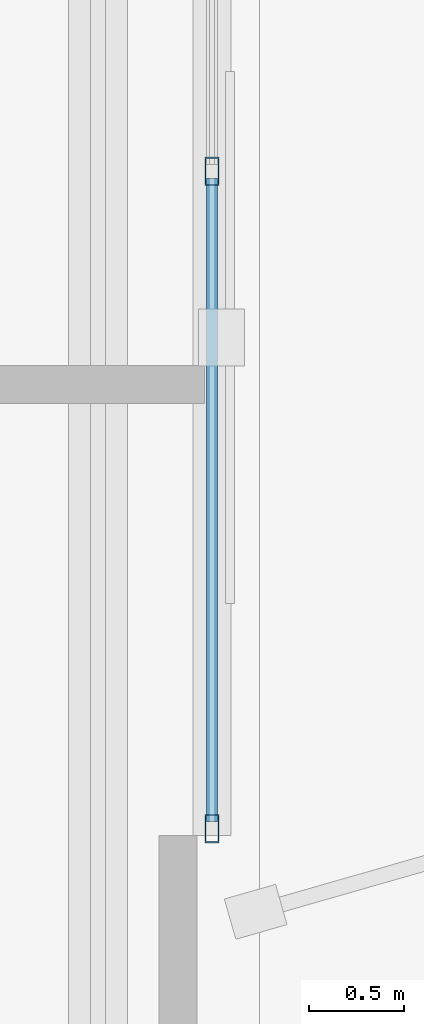
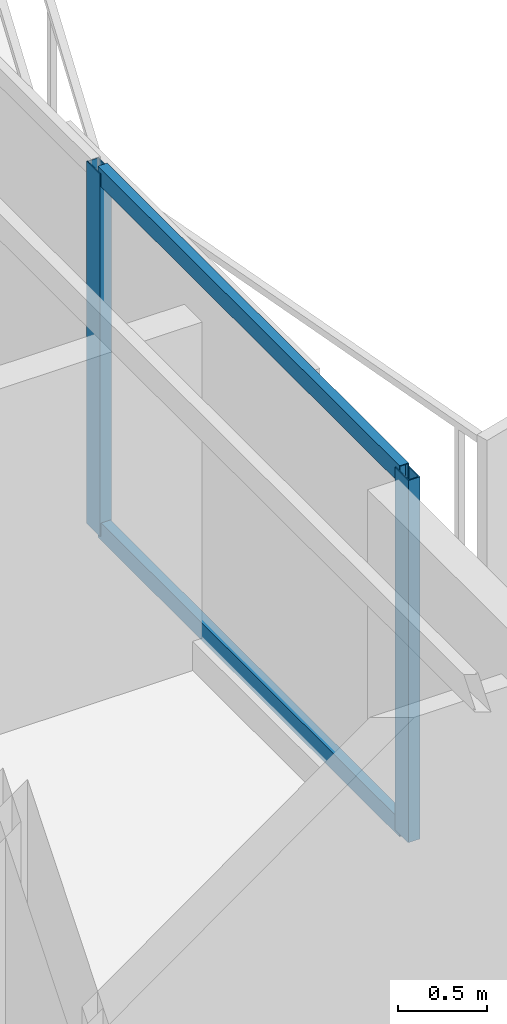
# One storey, part 7 of 19: 4 members, 1 element without a shape of its own.
"""IFC4 building model written with IfcOpenShell, lengths in metres."""

from ifc_helpers import new_model, si_unit, direction, frame, origin, origin_2d, place, context, subcontext, project, spatial, hollow_rectangle, extrude, material, layer, layer_set, material_profile, profile_set, type_object, element, aggregate, save


model = new_model("IFC4")

# Units and contexts
model_context = context("Model", 3, precision=1e-05, world=origin(), true_north=direction((0.0, 1.0)))
body_context = subcontext(model_context, "Body", "Model", "MODEL_VIEW")
ifc_project = project(units=[si_unit("LENGTHUNIT", "METRE"), si_unit("AREAUNIT", "SQUARE_METRE"), si_unit("VOLUMEUNIT", "CUBIC_METRE"), si_unit("PLANEANGLEUNIT", "RADIAN"), si_unit("MASSUNIT", "GRAM", prefix="KILO")], contexts=[model_context])

# Site, building, storey
site_placement = place(None, origin())
site = spatial("IfcSite", under=ifc_project, at=site_placement, CompositionType="ELEMENT")
building_placement = place(site_placement, origin())
building = spatial("IfcBuilding", under=site, at=building_placement, Name="Mersakhor Tower and Convention Hall", CompositionType="ELEMENT")
storey_placement = place(building_placement, frame((0.0, 0.0, 124.5)))
storey = spatial("IfcBuildingStorey", under=building, at=storey_placement, Name="L34", CompositionType="ELEMENT", Elevation=124.5)

# Curtain wall, members
ifc_material_1 = material(Name="Dark solar low-E aluminium curtain wall", Category="aluminium")
ifc_layer = layer(ifc_material_1, 0.169921875)
ifc_layer_set = layer_set([ifc_layer], Name="Dark solar low-E aluminium curtain wall")
curtain_wall_type = type_object("IfcCurtainWallType", Name="CW-SYS-02", PredefinedType="USERDEFINED", material=ifc_layer_set)
curtain_wall_placement = place(storey_placement, origin())
curtain_wall = element("IfcCurtainWall", 1, at=curtain_wall_placement, inside=storey, type_object=curtain_wall_type, Name="L34 Dark-Glass Curtain Wall F2-B2", ObjectType="CURTAIN WALL", PredefinedType="USERDEFINED")
ifc_material_2 = material(Name="Anodised aluminium EN AW-6063 T6", Category="aluminium")
ifc_material_profile_1 = material_profile(ifc_material_2, hollow_rectangle(XDim=0.074951171875, YDim=0.14990234375, WallThickness=0.00634765625, at=origin_2d()), Name="RHS 150x75x6.3")
ifc_profile_set_1 = profile_set([ifc_material_profile_1], Name="Anodised aluminium EN AW-6063 T6")
member_type_1 = type_object("IfcMemberType", Name="CWM-150x75", PredefinedType="MULLION", material=ifc_profile_set_1)
member_1_placement = place(storey_placement, frame((42.21923828125, 25.00244140625, 0.199951171875), z_axis=(0.0, 0.0, 1.0), x_axis=(1.0, 0.0, 0.0)))
member_1 = element("IfcMember", 2, at=member_1_placement, type_object=member_type_1, Name="CW-02 mullion 3", PredefinedType="MULLION", context=body_context, shape_type="SweptSolid", body=[
    extrude(hollow_rectangle(XDim=0.074951171875, YDim=0.14990234375, WallThickness=0.00634765625, at=origin_2d()), origin(), (0.0, 0.0, 1.0), 2.47998046875),
])
member_2_placement = place(storey_placement, frame((42.21923828125, 21.54443359375, 0.199951171875), z_axis=(0.0, 0.0, 1.0), x_axis=(1.0, 0.0, 0.0)))
member_2 = element("IfcMember", 3, at=member_2_placement, type_object=member_type_1, Name="CW-02 mullion 4", PredefinedType="MULLION", context=body_context, shape_type="SweptSolid", body=[
    extrude(hollow_rectangle(XDim=0.074951171875, YDim=0.14990234375, WallThickness=0.00634765625, at=origin_2d()), origin(), (0.0, 0.0, 1.0), 2.47998046875),
])
ifc_material_3 = material(Name="Anodised aluminium EN AW-6063 T6", Category="aluminium")
ifc_material_profile_2 = material_profile(ifc_material_3, hollow_rectangle(XDim=0.06005859375, YDim=0.1201171875, WallThickness=0.0048828125, at=origin_2d()), Name="RHS 120x60x5")
ifc_profile_set_2 = profile_set([ifc_material_profile_2], Name="Anodised aluminium EN AW-6063 T6")
member_type_2 = type_object("IfcMemberType", Name="CWT-120x60", PredefinedType="USERDEFINED", material=ifc_profile_set_2)
member_3_placement = place(storey_placement, frame((42.21923828125, 24.96484375, 0.22998046875), z_axis=(0.0, -1.0, 0.0), x_axis=(1.0, 0.0, 0.0)))
member_3 = element("IfcMember", 4, at=member_3_placement, type_object=member_type_2, Name="CW-02 transom 3.1", ObjectType="TRANSOM", PredefinedType="USERDEFINED", context=body_context, shape_type="SweptSolid", body=[
    extrude(hollow_rectangle(XDim=0.06005859375, YDim=0.1201171875, WallThickness=0.0048828125, at=origin_2d()), origin(), (0.0, 0.0, 1.0), 3.3828125),
])
member_4_placement = place(storey_placement, frame((42.21923828125, 24.96484375, 2.64990234375), z_axis=(0.0, -1.0, 0.0), x_axis=(1.0, 0.0, 0.0)))
member_4 = element("IfcMember", 5, at=member_4_placement, type_object=member_type_2, Name="CW-02 transom 3.2", ObjectType="TRANSOM", PredefinedType="USERDEFINED", context=body_context, shape_type="SweptSolid", body=[
    extrude(hollow_rectangle(XDim=0.06005859375, YDim=0.1201171875, WallThickness=0.0048828125, at=origin_2d()), origin(), (0.0, 0.0, 1.0), 3.3828125),
])
aggregate(curtain_wall, [member_1, member_2, member_3, member_4])

save(model, "model.ifc")
